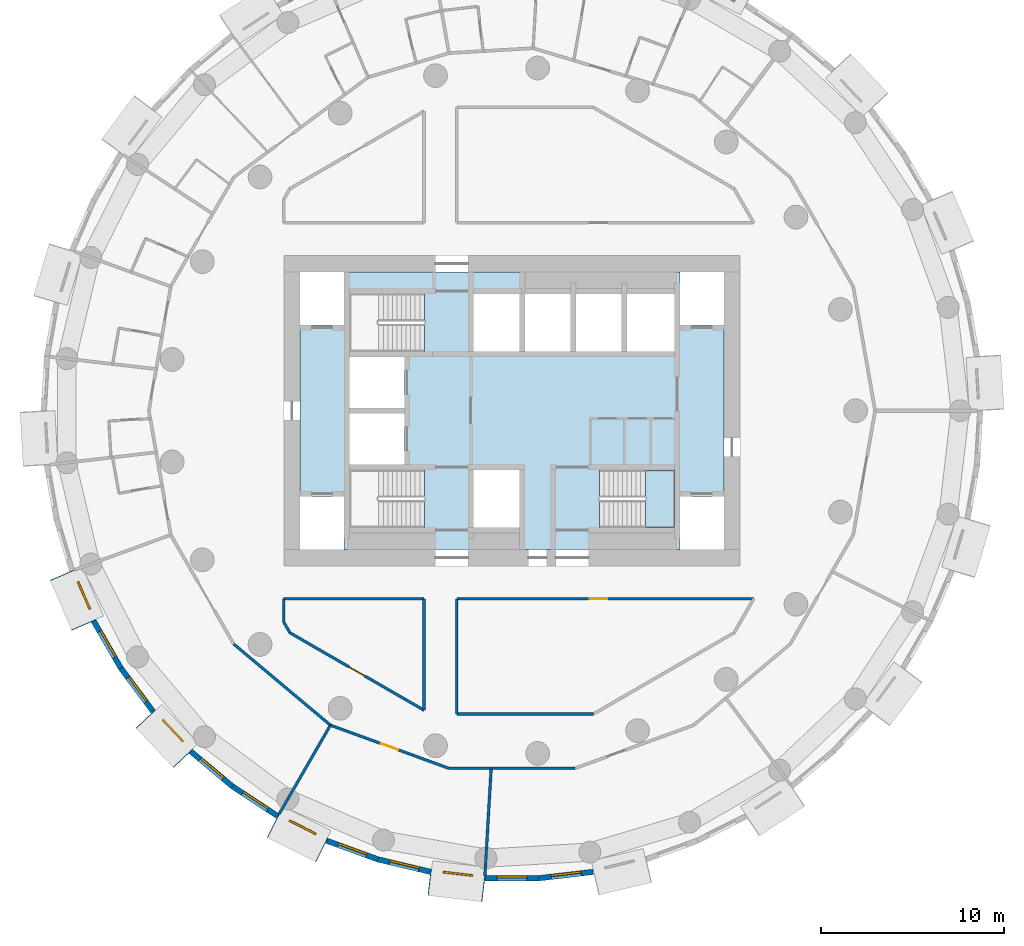
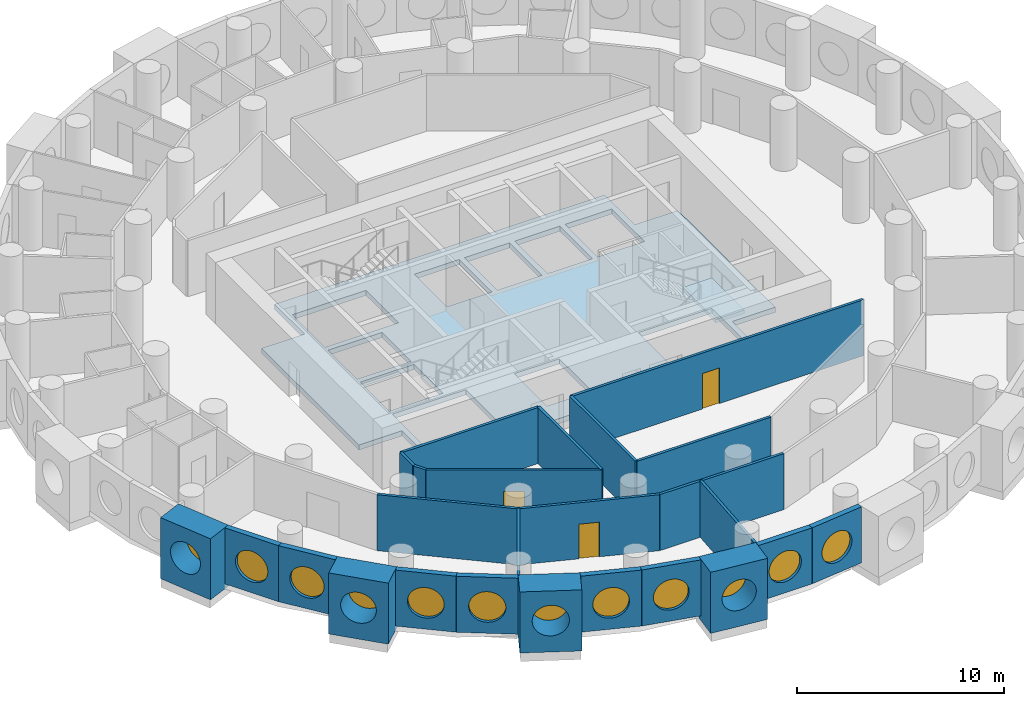
# One storey, part 2 of 10: 25 walls, 12 windows, 3 doors, 2 slabs, 15 openings, 1 element without a shape of its own.
"""IFC4 building model written with IfcOpenShell, lengths in metres."""

from ifc_helpers import new_model, si_unit, direction, frame, frame_2d, origin, origin_2d, place, context, subcontext, project, spatial, polyline, rectangle, circle, outline, extrude, material, layer, layer_set, type_object, element, fill, aggregate, save


model = new_model("IFC4")

# Units and contexts
model_context = context("Model", 3, precision=1e-05, world=origin(), true_north=direction((0.0, 1.0)))
body_context = subcontext(model_context, "Body", "Model", "MODEL_VIEW")
ifc_project = project(units=[si_unit("LENGTHUNIT", "METRE"), si_unit("AREAUNIT", "SQUARE_METRE"), si_unit("VOLUMEUNIT", "CUBIC_METRE"), si_unit("PLANEANGLEUNIT", "RADIAN"), si_unit("MASSUNIT", "GRAM", prefix="KILO")], contexts=[model_context])

# Site, building, storey
site_placement = place(None, origin())
site = spatial("IfcSite", under=ifc_project, at=site_placement, CompositionType="ELEMENT")
building_placement = place(site_placement, origin())
building = spatial("IfcBuilding", under=site, at=building_placement, Name="Tracery Tower", CompositionType="ELEMENT")
storey_placement = place(building_placement, frame((0.0, 0.0, 140.39990234375)))
storey = spatial("IfcBuildingStorey", under=building, at=storey_placement, Name="L35", CompositionType="ELEMENT", Elevation=140.39990234375)

# Slab
ifc_material_1 = material(Name="Concrete C50/60", Category="concrete")
ifc_layer_1 = layer(ifc_material_1, 0.300048828125)
ifc_layer_set_1 = layer_set([ifc_layer_1], Name="Core floor slab 300 C50")
slab_type_1 = type_object("IfcSlabType", Name="Core floor slab 300 C50", PredefinedType="FLOOR", material=ifc_layer_set_1)
slab_1_placement = place(storey_placement, frame((0.0, 0.0, -0.2998046875)))
element("IfcSlab", 1, at=slab_1_placement, inside=storey, type_object=slab_type_1, Name="L35 core floor 1", PredefinedType="FLOOR", context=body_context, shape_type="SweptSolid", body=[
    extrude(outline(polyline([(-9.199951171875, 7.60009765625), (9.199951171875, 7.60009765625), (9.199951171875, 4.699951171875), (11.60009765625, 4.699951171875), (11.60009765625, -4.699951171875), (9.199951171875, -4.699951171875), (9.199951171875, -7.60009765625), (-9.199951171875, -7.60009765625), (-9.199951171875, -4.699951171875), (-11.60009765625, -4.699951171875), (-11.60009765625, 4.699951171875), (-9.199951171875, 4.699951171875), (-9.199951171875, 7.60009765625)]), holes=[polyline([(4.800537109375, -6.39990234375), (8.89990234375, -6.39990234375), (8.89990234375, -3.25), (4.800537109375, -3.25), (4.800537109375, -6.39990234375)]), polyline([(8.89990234375, 3.25), (8.89990234375, 6.39990234375), (6.300048828125, 6.39990234375), (6.300048828125, 3.25), (8.89990234375, 3.25)]), polyline([(6.0, 3.25), (6.0, 6.39990234375), (3.5, 6.39990234375), (3.5, 3.25), (6.0, 3.25)]), polyline([(3.199951171875, 3.25), (3.199951171875, 6.39990234375), (0.699951171875, 6.39990234375), (0.699951171875, 3.25), (3.199951171875, 3.25)]), polyline([(-2.10009765625, 3.25), (0.39990234375, 3.25), (0.39990234375, 6.39990234375), (-2.10009765625, 6.39990234375), (-2.10009765625, 3.25)]), polyline([(0.39990234375, -6.39990234375), (0.39990234375, -3.25), (-2.10009765625, -3.25), (-2.10009765625, -6.39990234375), (0.39990234375, -6.39990234375)]), polyline([(-4.800537109375, -3.25), (-8.89990234375, -3.25), (-8.89990234375, -6.39990234375), (-4.800537109375, -6.39990234375), (-4.800537109375, -3.25)]), polyline([(-4.800537109375, 6.39990234375), (-8.89990234375, 6.39990234375), (-8.89990234375, 3.25), (-4.800537109375, 3.25), (-4.800537109375, 6.39990234375)]), polyline([(-5.89990234375, -2.949951171875), (-5.89990234375, -0.14990234375), (-8.89990234375, -0.14990234375), (-8.89990234375, -2.949951171875), (-5.89990234375, -2.949951171875)]), polyline([(-5.89990234375, 0.14990234375), (-5.89990234375, 2.949951171875), (-8.89990234375, 2.949951171875), (-8.89990234375, 0.14990234375), (-5.89990234375, 0.14990234375)])]), origin(), (0.0, 0.0, 1.0), 0.2998046875),
])

# Stair, slab
ifc_material_2 = material(Name="Concrete C32/40", Category="concrete")
stair_type = type_object("IfcStairType", Name="Core stair 22 risers", PredefinedType="HALF_TURN_STAIR", material=ifc_material_2)
stair_placement = place(storey_placement, origin())
stair = element("IfcStair", 2, at=stair_placement, inside=storey, type_object=stair_type, Name="L35 stair ST2", PredefinedType="HALF_TURN_STAIR")
ifc_material_3 = material(Name="Concrete C32/40", Category="concrete")
ifc_layer_2 = layer(ifc_material_3, 0.199951171875)
ifc_layer_set_2 = layer_set([ifc_layer_2], Name="Stair landing slab 200")
slab_type_2 = type_object("IfcSlabType", Name="Stair landing slab 200", PredefinedType="LANDING", material=ifc_layer_set_2)
slab_2_placement = place(storey_placement, frame((0.0, 0.0, 1.60009765625)))
slab_2 = element("IfcSlab", 3, at=slab_2_placement, type_object=slab_type_2, Name="ST2 landing 1", PredefinedType="LANDING", context=body_context, shape_type="SweptSolid", body=[
    extrude(outline(polyline([(7.29931640625, -6.39990234375), (8.89990234375, -6.39990234375), (8.89990234375, -3.25), (7.29931640625, -3.25), (7.29931640625, -6.39990234375)])), origin(), (0.0, 0.0, 1.0), 0.199951171875),
])
aggregate(stair, [slab_2])

# Wall, opening, window
ifc_material_4 = material(Name="Precast concrete C50/60", Category="concrete")
ifc_layer_3 = layer(ifc_material_4, 1.449951171875)
ifc_layer_set_3 = layer_set([ifc_layer_3], Name="Deep-set bay unit 3000 x 3600, slab edge 300")
wall_type_1 = type_object("IfcWallType", Name="Deep-set bay unit 3000 x 3600, slab edge 300", PredefinedType="ELEMENTEDWALL", material=ifc_layer_set_3)
wall_1_placement = place(storey_placement, frame((-24.632080078125, -8.99169921875, -0.2998046875), z_axis=(0.0, 0.0, 1.0), x_axis=(0.396079003245, -0.918216435917, 0.0)))
wall_1 = element("IfcWall", 4, at=wall_1_placement, inside=storey, type_object=wall_type_1, Name="Deep-set bay unit 31 at L35", PredefinedType="ELEMENTEDWALL", context=body_context, shape_type="SweptSolid", body=[
    extrude(rectangle(XDim=3.0, YDim=1.449951171875, at=frame_2d((1.5, 0.0))), origin(), (0.0, 0.0, 1.0), 3.599853515625),
])
opening_1_placement = place(wall_1_placement, frame((1.5, 0.0, 1.85009765625)))
opening_1 = element("IfcOpeningElement", 5, at=opening_1_placement, cuts=wall_1, Name="Opening WN1", PredefinedType="OPENING", context=body_context, shape_type="SweptSolid", body=[
    extrude(circle(Radius=0.9000244140625, at=origin_2d()), frame((0.0, 0.73486328125, 0.0), z_axis=(0.0, -1.0, 0.0), x_axis=(1.0, 0.0, 0.0)), (0.0, 0.0, 1.0), 1.469970703125),
])
ifc_material_5 = material(Name="Aluminium frame with tinted double glazing", Category="aluminium")
window_type = type_object("IfcWindowType", Name="Round window 1800", PartitioningType="SINGLE_PANEL", PredefinedType="WINDOW", material=ifc_material_5)
window_1_placement = place(opening_1_placement, origin())
window_1 = element("IfcWindow", 6, at=window_1_placement, inside=storey, type_object=window_type, Name="Round window 31 at L35", OverallHeight=1.800048828125, OverallWidth=1.800048828125, PartitioningType="SINGLE_PANEL", PredefinedType="WINDOW", context=body_context, shape_type="SweptSolid", body=[
    extrude(circle(Radius=0.9000244140625, at=origin_2d()), frame((0.0, 0.69482421875, 0.0), z_axis=(0.0, -1.0, 0.0), x_axis=(1.0, 0.0, 0.0)), (0.0, 0.0, 1.0), 0.10009765625),
])
fill(opening_1, window_1)

wall_2_placement = place(storey_placement, frame((-20.0712890625, -16.8740234375, -0.2998046875), z_axis=(0.0, 0.0, 1.0), x_axis=(0.686217177108, -0.727396718334, 0.0)))
wall_2 = element("IfcWall", 7, at=wall_2_placement, inside=storey, type_object=wall_type_1, Name="Deep-set bay unit 34 at L35", PredefinedType="ELEMENTEDWALL", context=body_context, shape_type="SweptSolid", body=[
    extrude(rectangle(XDim=3.0, YDim=1.449951171875, at=frame_2d((1.5, 0.0))), origin(), (0.0, 0.0, 1.0), 3.599853515625),
])
opening_2_placement = place(wall_2_placement, frame((1.5, 0.0, 1.85009765625)))
opening_2 = element("IfcOpeningElement", 8, at=opening_2_placement, cuts=wall_2, Name="Opening WN1", PredefinedType="OPENING", context=body_context, shape_type="SweptSolid", body=[
    extrude(circle(Radius=0.9000244140625, at=origin_2d()), frame((0.0, 0.73486328125, 0.0), z_axis=(0.0, -1.0, 0.0), x_axis=(1.0, 0.0, 0.0)), (0.0, 0.0, 1.0), 1.469970703125),
])
window_2_placement = place(opening_2_placement, origin())
window_2 = element("IfcWindow", 9, at=window_2_placement, inside=storey, type_object=window_type, Name="Round window 34 at L35", OverallHeight=1.800048828125, OverallWidth=1.800048828125, PartitioningType="SINGLE_PANEL", PredefinedType="WINDOW", context=body_context, shape_type="SweptSolid", body=[
    extrude(circle(Radius=0.9000244140625, at=origin_2d()), frame((0.0, 0.69482421875, 0.0), z_axis=(0.0, -1.0, 0.0), x_axis=(1.0, 0.0, 0.0)), (0.0, 0.0, 1.0), 0.10009765625),
])
fill(opening_2, window_2)

wall_3_placement = place(storey_placement, frame((-13.089599609375, -22.72119140625, -0.2998046875), z_axis=(0.0, 0.0, 1.0), x_axis=(0.893628249713, -0.448807922518, 0.0)))
wall_3 = element("IfcWall", 10, at=wall_3_placement, inside=storey, type_object=wall_type_1, Name="Deep-set bay unit 37 at L35", PredefinedType="ELEMENTEDWALL", context=body_context, shape_type="SweptSolid", body=[
    extrude(rectangle(XDim=3.0, YDim=1.449951171875, at=frame_2d((1.5, 0.0))), origin(), (0.0, 0.0, 1.0), 3.599853515625),
])
opening_3_placement = place(wall_3_placement, frame((1.5, 0.0, 1.85009765625)))
opening_3 = element("IfcOpeningElement", 11, at=opening_3_placement, cuts=wall_3, Name="Opening WN1", PredefinedType="OPENING", context=body_context, shape_type="SweptSolid", body=[
    extrude(circle(Radius=0.9000244140625, at=origin_2d()), frame((0.0, 0.73486328125, 0.0), z_axis=(0.0, -1.0, 0.0), x_axis=(1.0, 0.0, 0.0)), (0.0, 0.0, 1.0), 1.469970703125),
])
window_3_placement = place(opening_3_placement, origin())
window_3 = element("IfcWindow", 12, at=window_3_placement, inside=storey, type_object=window_type, Name="Round window 37 at L35", OverallHeight=1.800048828125, OverallWidth=1.800048828125, PartitioningType="SINGLE_PANEL", PredefinedType="WINDOW", context=body_context, shape_type="SweptSolid", body=[
    extrude(circle(Radius=0.9000244140625, at=origin_2d()), frame((0.0, 0.69482421875, 0.0), z_axis=(0.0, -1.0, 0.0), x_axis=(1.0, 0.0, 0.0)), (0.0, 0.0, 1.0), 0.10009765625),
])
fill(opening_3, window_3)

wall_4_placement = place(storey_placement, frame((-4.529052734375, -25.827880859375, -0.2998046875), z_axis=(0.0, 0.0, 1.0), x_axis=(0.9932342274, -0.116128246006, 0.0)))
wall_4 = element("IfcWall", 13, at=wall_4_placement, inside=storey, type_object=wall_type_1, Name="Deep-set bay unit 40 at L35", PredefinedType="ELEMENTEDWALL", context=body_context, shape_type="SweptSolid", body=[
    extrude(rectangle(XDim=3.0, YDim=1.449951171875, at=frame_2d((1.5, 0.0))), origin(), (0.0, 0.0, 1.0), 3.599853515625),
])
opening_4_placement = place(wall_4_placement, frame((1.5, 0.0, 1.85009765625)))
opening_4 = element("IfcOpeningElement", 14, at=opening_4_placement, cuts=wall_4, Name="Opening WN1", PredefinedType="OPENING", context=body_context, shape_type="SweptSolid", body=[
    extrude(circle(Radius=0.9000244140625, at=origin_2d()), frame((0.0, 0.73486328125, 0.0), z_axis=(0.0, -1.0, 0.0), x_axis=(1.0, 0.0, 0.0)), (0.0, 0.0, 1.0), 1.469970703125),
])
window_4_placement = place(opening_4_placement, origin())
window_4 = element("IfcWindow", 15, at=window_4_placement, inside=storey, type_object=window_type, Name="Round window 40 at L35", OverallHeight=1.800048828125, OverallWidth=1.800048828125, PartitioningType="SINGLE_PANEL", PredefinedType="WINDOW", context=body_context, shape_type="SweptSolid", body=[
    extrude(circle(Radius=0.9000244140625, at=origin_2d()), frame((0.0, 0.69482421875, 0.0), z_axis=(0.0, -1.0, 0.0), x_axis=(1.0, 0.0, 0.0)), (0.0, 0.0, 1.0), 0.10009765625),
])
fill(opening_4, window_4)

ifc_material_6 = material(Name="Precast concrete C50/60", Category="concrete")
ifc_layer_4 = layer(ifc_material_6, 0.300048828125)
ifc_layer_set_4 = layer_set([ifc_layer_4], Name="Facade panel 3000 x 3300")
wall_type_2 = type_object("IfcWallType", Name="Facade panel 3000 x 3300", PredefinedType="SOLIDWALL", material=ifc_layer_set_4)
wall_5_placement = place(storey_placement, frame((-22.91455078125, -11.518798828125, 0.0), z_axis=(0.0, 0.0, 1.0), x_axis=(0.499954672104, -0.866051572276, 0.0)))
wall_5 = element("IfcWall", 16, at=wall_5_placement, inside=storey, type_object=wall_type_2, Name="Facade panel 32 at L35", PredefinedType="SOLIDWALL", context=body_context, shape_type="SweptSolid", body=[
    extrude(rectangle(XDim=2.972900390625, YDim=0.300048828125, at=frame_2d((1.486328125, 0.0))), origin(), (0.0, 0.0, 1.0), 3.300048828125),
])
opening_5_placement = place(wall_5_placement, frame((1.486328125, 0.0, 1.5498046875)))
opening_5 = element("IfcOpeningElement", 17, at=opening_5_placement, cuts=wall_5, Name="Opening WN1", PredefinedType="OPENING", context=body_context, shape_type="SweptSolid", body=[
    extrude(circle(Radius=0.9000244140625, at=origin_2d()), frame((0.0, 0.159912109375, 0.0), z_axis=(0.0, -1.0, 0.0), x_axis=(1.0, 0.0, 0.0)), (0.0, 0.0, 1.0), 0.320068359375),
])
window_5_placement = place(opening_5_placement, origin())
window_5 = element("IfcWindow", 18, at=window_5_placement, inside=storey, type_object=window_type, Name="Round window 32 at L35", OverallHeight=1.800048828125, OverallWidth=1.800048828125, PartitioningType="SINGLE_PANEL", PredefinedType="WINDOW", context=body_context, shape_type="SweptSolid", body=[
    extrude(circle(Radius=0.9000244140625, at=origin_2d()), frame((0.0, 0.1201171875, 0.0), z_axis=(0.0, -1.0, 0.0), x_axis=(1.0, 0.0, 0.0)), (0.0, 0.0, 1.0), 0.10009765625),
])
fill(opening_5, window_5)

wall_6_placement = place(storey_placement, frame((-21.42822265625, -14.093505859375, 0.0), z_axis=(0.0, 0.0, 1.0), x_axis=(0.597197580538, -0.80209416517, 0.0)))
wall_6 = element("IfcWall", 19, at=wall_6_placement, inside=storey, type_object=wall_type_2, Name="Facade panel 33 at L35", PredefinedType="SOLIDWALL", context=body_context, shape_type="SweptSolid", body=[
    extrude(rectangle(XDim=2.972900390625, YDim=0.300048828125, at=frame_2d((1.486328125, 0.0))), origin(), (0.0, 0.0, 1.0), 3.300048828125),
])
opening_6_placement = place(wall_6_placement, frame((1.486328125, 0.0, 1.5498046875)))
opening_6 = element("IfcOpeningElement", 20, at=opening_6_placement, cuts=wall_6, Name="Opening WN1", PredefinedType="OPENING", context=body_context, shape_type="SweptSolid", body=[
    extrude(circle(Radius=0.9000244140625, at=origin_2d()), frame((0.0, 0.159912109375, 0.0), z_axis=(0.0, -1.0, 0.0), x_axis=(1.0, 0.0, 0.0)), (0.0, 0.0, 1.0), 0.320068359375),
])
window_6_placement = place(opening_6_placement, origin())
window_6 = element("IfcWindow", 21, at=window_6_placement, inside=storey, type_object=window_type, Name="Round window 33 at L35", OverallHeight=1.800048828125, OverallWidth=1.800048828125, PartitioningType="SINGLE_PANEL", PredefinedType="WINDOW", context=body_context, shape_type="SweptSolid", body=[
    extrude(circle(Radius=0.9000244140625, at=origin_2d()), frame((0.0, 0.1201171875, 0.0), z_axis=(0.0, -1.0, 0.0), x_axis=(1.0, 0.0, 0.0)), (0.0, 0.0, 1.0), 0.10009765625),
])
fill(opening_6, window_6)

wall_7_placement = place(storey_placement, frame((-17.593017578125, -18.661376953125, 0.0), z_axis=(0.0, 0.0, 1.0), x_axis=(0.766008913364, -0.642829950023, 0.0)))
wall_7 = element("IfcWall", 22, at=wall_7_placement, inside=storey, type_object=wall_type_2, Name="Facade panel 35 at L35", PredefinedType="SOLIDWALL", context=body_context, shape_type="SweptSolid", body=[
    extrude(rectangle(XDim=2.972900390625, YDim=0.300048828125, at=frame_2d((1.486328125, 0.0))), origin(), (0.0, 0.0, 1.0), 3.300048828125),
])
opening_7_placement = place(wall_7_placement, frame((1.486328125, 0.0, 1.5498046875)))
opening_7 = element("IfcOpeningElement", 23, at=opening_7_placement, cuts=wall_7, Name="Opening WN1", PredefinedType="OPENING", context=body_context, shape_type="SweptSolid", body=[
    extrude(circle(Radius=0.9000244140625, at=origin_2d()), frame((0.0, 0.159912109375, 0.0), z_axis=(0.0, -1.0, 0.0), x_axis=(1.0, 0.0, 0.0)), (0.0, 0.0, 1.0), 0.320068359375),
])
window_7_placement = place(opening_7_placement, origin())
window_7 = element("IfcWindow", 24, at=window_7_placement, inside=storey, type_object=window_type, Name="Round window 35 at L35", OverallHeight=1.800048828125, OverallWidth=1.800048828125, PartitioningType="SINGLE_PANEL", PredefinedType="WINDOW", context=body_context, shape_type="SweptSolid", body=[
    extrude(circle(Radius=0.9000244140625, at=origin_2d()), frame((0.0, 0.1201171875, 0.0), z_axis=(0.0, -1.0, 0.0), x_axis=(1.0, 0.0, 0.0)), (0.0, 0.0, 1.0), 0.10009765625),
])
fill(opening_7, window_7)

wall_8_placement = place(storey_placement, frame((-15.315673828125, -20.572509765625, 0.0), z_axis=(0.0, 0.0, 1.0), x_axis=(0.835508361394, -0.54947773207, 0.0)))
wall_8 = element("IfcWall", 25, at=wall_8_placement, inside=storey, type_object=wall_type_2, Name="Facade panel 36 at L35", PredefinedType="SOLIDWALL", context=body_context, shape_type="SweptSolid", body=[
    extrude(rectangle(XDim=2.972900390625, YDim=0.300048828125, at=frame_2d((1.486328125, 0.0))), origin(), (0.0, 0.0, 1.0), 3.300048828125),
])
opening_8_placement = place(wall_8_placement, frame((1.486328125, 0.0, 1.5498046875)))
opening_8 = element("IfcOpeningElement", 26, at=opening_8_placement, cuts=wall_8, Name="Opening WN1", PredefinedType="OPENING", context=body_context, shape_type="SweptSolid", body=[
    extrude(circle(Radius=0.9000244140625, at=origin_2d()), frame((0.0, 0.159912109375, 0.0), z_axis=(0.0, -1.0, 0.0), x_axis=(1.0, 0.0, 0.0)), (0.0, 0.0, 1.0), 0.320068359375),
])
window_8_placement = place(opening_8_placement, origin())
window_8 = element("IfcWindow", 27, at=window_8_placement, inside=storey, type_object=window_type, Name="Round window 36 at L35", OverallHeight=1.800048828125, OverallWidth=1.800048828125, PartitioningType="SINGLE_PANEL", PredefinedType="WINDOW", context=body_context, shape_type="SweptSolid", body=[
    extrude(circle(Radius=0.9000244140625, at=origin_2d()), frame((0.0, 0.1201171875, 0.0), z_axis=(0.0, -1.0, 0.0), x_axis=(1.0, 0.0, 0.0)), (0.0, 0.0, 1.0), 0.10009765625),
])
fill(opening_8, window_8)

wall_9_placement = place(storey_placement, frame((-10.1494140625, -23.55322265625, 0.0), z_axis=(0.0, 0.0, 1.0), x_axis=(0.939690282133, -0.342026568652, 0.0)))
wall_9 = element("IfcWall", 28, at=wall_9_placement, inside=storey, type_object=wall_type_2, Name="Facade panel 38 at L35", PredefinedType="SOLIDWALL", context=body_context, shape_type="SweptSolid", body=[
    extrude(rectangle(XDim=2.972900390625, YDim=0.300048828125, at=frame_2d((1.486328125, 0.0))), origin(), (0.0, 0.0, 1.0), 3.300048828125),
])
opening_9_placement = place(wall_9_placement, frame((1.486328125, 0.0, 1.5498046875)))
opening_9 = element("IfcOpeningElement", 29, at=opening_9_placement, cuts=wall_9, Name="Opening WN1", PredefinedType="OPENING", context=body_context, shape_type="SweptSolid", body=[
    extrude(circle(Radius=0.9000244140625, at=origin_2d()), frame((0.0, 0.159912109375, 0.0), z_axis=(0.0, -1.0, 0.0), x_axis=(1.0, 0.0, 0.0)), (0.0, 0.0, 1.0), 0.320068359375),
])
window_9_placement = place(opening_9_placement, origin())
window_9 = element("IfcWindow", 30, at=window_9_placement, inside=storey, type_object=window_type, Name="Round window 38 at L35", OverallHeight=1.800048828125, OverallWidth=1.800048828125, PartitioningType="SINGLE_PANEL", PredefinedType="WINDOW", context=body_context, shape_type="SweptSolid", body=[
    extrude(circle(Radius=0.9000244140625, at=origin_2d()), frame((0.0, 0.1201171875, 0.0), z_axis=(0.0, -1.0, 0.0), x_axis=(1.0, 0.0, 0.0)), (0.0, 0.0, 1.0), 0.10009765625),
])
fill(opening_9, window_9)

wall_10_placement = place(storey_placement, frame((-7.355712890625, -24.570068359375, 0.0), z_axis=(0.0, 0.0, 1.0), x_axis=(0.973045378923, -0.230613725862, 0.0)))
wall_10 = element("IfcWall", 31, at=wall_10_placement, inside=storey, type_object=wall_type_2, Name="Facade panel 39 at L35", PredefinedType="SOLIDWALL", context=body_context, shape_type="SweptSolid", body=[
    extrude(rectangle(XDim=2.97265625, YDim=0.300048828125, at=frame_2d((1.486328125, 0.0))), origin(), (0.0, 0.0, 1.0), 3.300048828125),
])
opening_10_placement = place(wall_10_placement, frame((1.486328125, 0.0, 1.5498046875)))
opening_10 = element("IfcOpeningElement", 32, at=opening_10_placement, cuts=wall_10, Name="Opening WN1", PredefinedType="OPENING", context=body_context, shape_type="SweptSolid", body=[
    extrude(circle(Radius=0.9000244140625, at=origin_2d()), frame((0.0, 0.159912109375, 0.0), z_axis=(0.0, -1.0, 0.0), x_axis=(1.0, 0.0, 0.0)), (0.0, 0.0, 1.0), 0.320068359375),
])
window_10_placement = place(opening_10_placement, origin())
window_10 = element("IfcWindow", 33, at=window_10_placement, inside=storey, type_object=window_type, Name="Round window 39 at L35", OverallHeight=1.800048828125, OverallWidth=1.800048828125, PartitioningType="SINGLE_PANEL", PredefinedType="WINDOW", context=body_context, shape_type="SweptSolid", body=[
    extrude(circle(Radius=0.9000244140625, at=origin_2d()), frame((0.0, 0.1201171875, 0.0), z_axis=(0.0, -1.0, 0.0), x_axis=(1.0, 0.0, 0.0)), (0.0, 0.0, 1.0), 0.10009765625),
])
fill(opening_10, window_10)

wall_11_placement = place(storey_placement, frame((-1.481689453125, -25.60400390625, 0.0), z_axis=(0.0, 0.0, 1.0), x_axis=(1.0, 0.0, 0.0)))
wall_11 = element("IfcWall", 34, at=wall_11_placement, inside=storey, type_object=wall_type_2, Name="Facade panel 41 at L35", PredefinedType="SOLIDWALL", context=body_context, shape_type="SweptSolid", body=[
    extrude(rectangle(XDim=2.972900390625, YDim=0.300048828125, at=frame_2d((1.486328125, 0.0))), origin(), (0.0, 0.0, 1.0), 3.300048828125),
])
opening_11_placement = place(wall_11_placement, frame((1.486328125, 0.0, 1.5498046875)))
opening_11 = element("IfcOpeningElement", 35, at=opening_11_placement, cuts=wall_11, Name="Opening WN1", PredefinedType="OPENING", context=body_context, shape_type="SweptSolid", body=[
    extrude(circle(Radius=0.9000244140625, at=origin_2d()), frame((0.0, 0.159912109375, 0.0), z_axis=(0.0, -1.0, 0.0), x_axis=(1.0, 0.0, 0.0)), (0.0, 0.0, 1.0), 0.320068359375),
])
window_11_placement = place(opening_11_placement, origin())
window_11 = element("IfcWindow", 36, at=window_11_placement, inside=storey, type_object=window_type, Name="Round window 41 at L35", OverallHeight=1.800048828125, OverallWidth=1.800048828125, PartitioningType="SINGLE_PANEL", PredefinedType="WINDOW", context=body_context, shape_type="SweptSolid", body=[
    extrude(circle(Radius=0.9000244140625, at=origin_2d()), frame((0.0, 0.1201171875, 0.0), z_axis=(0.0, -1.0, 0.0), x_axis=(1.0, 0.0, 0.0)), (0.0, 0.0, 1.0), 0.10009765625),
])
fill(opening_11, window_11)

wall_12_placement = place(storey_placement, frame((1.4912109375, -25.60400390625, 0.0), z_axis=(0.0, 0.0, 1.0), x_axis=(0.993245010522, 0.1160359818, 0.0)))
wall_12 = element("IfcWall", 37, at=wall_12_placement, inside=storey, type_object=wall_type_2, Name="Facade panel 42 at L35", PredefinedType="SOLIDWALL", context=body_context, shape_type="SweptSolid", body=[
    extrude(rectangle(XDim=2.972900390625, YDim=0.300048828125, at=frame_2d((1.486328125, 0.0))), origin(), (0.0, 0.0, 1.0), 3.300048828125),
])
opening_12_placement = place(wall_12_placement, frame((1.486328125, 0.0, 1.5498046875)))
opening_12 = element("IfcOpeningElement", 38, at=opening_12_placement, cuts=wall_12, Name="Opening WN1", PredefinedType="OPENING", context=body_context, shape_type="SweptSolid", body=[
    extrude(circle(Radius=0.9000244140625, at=origin_2d()), frame((0.0, 0.159912109375, 0.0), z_axis=(0.0, -1.0, 0.0), x_axis=(1.0, 0.0, 0.0)), (0.0, 0.0, 1.0), 0.320068359375),
])
window_12_placement = place(opening_12_placement, origin())
window_12 = element("IfcWindow", 39, at=window_12_placement, inside=storey, type_object=window_type, Name="Round window 42 at L35", OverallHeight=1.800048828125, OverallWidth=1.800048828125, PartitioningType="SINGLE_PANEL", PredefinedType="WINDOW", context=body_context, shape_type="SweptSolid", body=[
    extrude(circle(Radius=0.9000244140625, at=origin_2d()), frame((0.0, 0.1201171875, 0.0), z_axis=(0.0, -1.0, 0.0), x_axis=(1.0, 0.0, 0.0)), (0.0, 0.0, 1.0), 0.10009765625),
])
fill(opening_12, window_12)

# Walls
ifc_material_7 = material(Name="Plasterboard on steel studs", Category="steel")
ifc_layer_5 = layer(ifc_material_7, 0.14990234375)
ifc_layer_set_5 = layer_set([ifc_layer_5], Name="Partition 150 acoustic unit wall")
wall_type_3 = type_object("IfcWallType", Name="Partition 150 acoustic unit wall", PredefinedType="PARTITIONING", material=ifc_layer_set_5)
wall_13_placement = place(storey_placement, frame((-12.7490234375, -22.0810546875, 0.0), z_axis=(0.0, 0.0, 1.0), x_axis=(0.500010020406, 0.866019618423, 0.0)))
element("IfcWall", 40, at=wall_13_placement, inside=storey, type_object=wall_type_3, Name="Unit wall RB2-077", PredefinedType="PARTITIONING", context=body_context, shape_type="SweptSolid", body=[
    extrude(rectangle(XDim=5.60986328125, YDim=0.14990234375, at=frame_2d((2.804931640625, 0.0))), origin(), (0.0, 0.0, 1.0), 3.300048828125),
])
wall_14_placement = place(storey_placement, frame((-1.48291015625, -25.4541015625, 0.0), z_axis=(0.0, 0.0, 1.0), x_axis=(0.058147412668, 0.998308007781, 0.0)))
element("IfcWall", 41, at=wall_14_placement, inside=storey, type_object=wall_type_3, Name="Unit wall RB2-078", PredefinedType="PARTITIONING", context=body_context, shape_type="SweptSolid", body=[
    extrude(rectangle(XDim=5.878173828125, YDim=0.14990234375, at=frame_2d((2.93896484375, 0.0))), origin(), (0.0, 0.0, 1.0), 3.300048828125),
])
ifc_material_8 = material(Name="Plasterboard on steel studs", Category="steel")
ifc_layer_6 = layer(ifc_material_8, 0.14990234375)
ifc_layer_set_6 = layer_set([ifc_layer_6], Name="Partition 150 corridor wall")
wall_type_4 = type_object("IfcWallType", Name="Partition 150 corridor wall", PredefinedType="PARTITIONING", material=ifc_layer_set_6)
wall_15_placement = place(storey_placement, frame((-12.50390625, -10.300048828125, 0.0), z_axis=(0.0, 0.0, 1.0), x_axis=(1.0, 0.0, 0.0)))
element("IfcWall", 42, at=wall_15_placement, inside=storey, type_object=wall_type_4, Name="Corridor wall RB2-003", PredefinedType="PARTITIONING", context=body_context, shape_type="SweptSolid", body=[
    extrude(rectangle(XDim=7.68701171875, YDim=0.14990234375, at=frame_2d((3.843505859375, 0.0))), origin(), (0.0, 0.0, 1.0), 3.300048828125),
])

# Wall, opening, door
wall_16_placement = place(storey_placement, frame((-3.02490234375, -10.300048828125, 0.0), z_axis=(0.0, 0.0, 1.0), x_axis=(1.0, 0.0, 0.0)))
wall_16 = element("IfcWall", 43, at=wall_16_placement, inside=storey, type_object=wall_type_4, Name="Corridor wall RB2-004", PredefinedType="PARTITIONING", context=body_context, shape_type="SweptSolid", body=[
    extrude(rectangle(XDim=16.261962890625, YDim=0.14990234375, at=frame_2d((8.130859375, 0.0))), origin(), (0.0, 0.0, 1.0), 3.300048828125),
])
opening_13_placement = place(wall_16_placement, frame((7.287109375, 0.0, 0.0)))
opening_13 = element("IfcOpeningElement", 44, at=opening_13_placement, cuts=wall_16, Name="Opening RB2-04", PredefinedType="OPENING", context=body_context, shape_type="SweptSolid", body=[
    extrude(rectangle(XDim=0.949951171875, YDim=2.10009765625, at=frame_2d((0.47509765625, 1.050048828125))), frame((0.0, 0.074951171875, 0.0), z_axis=(0.0, -1.0, 0.0), x_axis=(1.0, 0.0, 0.0)), (0.0, 0.0, 1.0), 0.14990234375),
])
ifc_material_9 = material(Name="Timber door leaf", Category="wood")
door_type_1 = type_object("IfcDoorType", Name="Door store 950", OperationType="NOTDEFINED", PredefinedType="DOOR", material=ifc_material_9)
door_1_placement = place(opening_13_placement, origin())
door_1 = element("IfcDoor", 45, at=door_1_placement, inside=storey, type_object=door_type_1, Name="Store door RB2-04", OperationType="SINGLE_SWING_RIGHT", OverallHeight=2.10009765625, OverallWidth=0.949951171875, PredefinedType="DOOR", context=body_context, shape_type="SweptSolid", body=[
    extrude(rectangle(XDim=0.949951171875, YDim=2.10009765625, at=frame_2d((0.47509765625, 1.050048828125))), frame((0.0, 0.02490234375, 0.0), z_axis=(0.0, -1.0, 0.0), x_axis=(1.0, 0.0, 0.0)), (0.0, 0.0, 1.0), 0.050048828125),
])
fill(opening_13, door_1)

# Walls
wall_17_placement = place(storey_placement, frame((-12.5, -11.576904296875, 0.0), z_axis=(0.0, 0.0, 1.0), x_axis=(0.0, 1.0, 0.0)))
element("IfcWall", 46, at=wall_17_placement, inside=storey, type_object=wall_type_4, Name="Corridor wall RB2-024", PredefinedType="PARTITIONING", context=body_context, shape_type="SweptSolid", body=[
    extrude(rectangle(XDim=1.27685546875, YDim=0.14990234375, at=frame_2d((0.638427734375, 0.0))), origin(), (0.0, 0.0, 1.0), 3.300048828125),
])
wall_18_placement = place(storey_placement, frame((-12.5, -11.576904296875, 0.0), z_axis=(0.0, 0.0, 1.0), x_axis=(0.500024767483, -0.866011103799, 0.0)))
element("IfcWall", 47, at=wall_18_placement, inside=storey, type_object=wall_type_4, Name="Corridor wall RB2-025", PredefinedType="PARTITIONING", context=body_context, shape_type="SweptSolid", body=[
    extrude(rectangle(XDim=0.67578125, YDim=0.14990234375, at=frame_2d((0.337890625, 0.0))), origin(), (0.0, 0.0, 1.0), 3.300048828125),
])
wall_19_placement = place(storey_placement, frame((-15.235107421875, -12.783935546875, 0.0), z_axis=(0.0, 0.0, 1.0), x_axis=(0.766192104565, -0.642611592567, 0.0)))
element("IfcWall", 48, at=wall_19_placement, inside=storey, type_object=wall_type_4, Name="Corridor wall RB2-030", PredefinedType="PARTITIONING", context=body_context, shape_type="SweptSolid", body=[
    extrude(rectangle(XDim=6.906494140625, YDim=0.14990234375, at=frame_2d((3.453125, 0.0))), origin(), (0.0, 0.0, 1.0), 3.300048828125),
])

# Wall, opening, door
wall_20_placement = place(storey_placement, frame((-12.162109375, -12.162109375, 0.0), z_axis=(0.0, 0.0, 1.0), x_axis=(0.866004766557, -0.500035743023, 0.0)))
wall_20 = element("IfcWall", 49, at=wall_20_placement, inside=storey, type_object=wall_type_4, Name="Corridor wall RB2-032", PredefinedType="PARTITIONING", context=body_context, shape_type="SweptSolid", body=[
    extrude(rectangle(XDim=8.47705078125, YDim=0.14990234375, at=frame_2d((4.238525390625, 0.0))), origin(), (0.0, 0.0, 1.0), 3.300048828125),
])
opening_14_placement = place(wall_20_placement, frame((3.738037109375, 0.0, 0.0)))
opening_14 = element("IfcOpeningElement", 50, at=opening_14_placement, cuts=wall_20, Name="Opening RB2-03", PredefinedType="OPENING", context=body_context, shape_type="SweptSolid", body=[
    extrude(rectangle(XDim=1.0, YDim=2.0400390625, at=frame_2d((0.5, 1.02001953125))), frame((0.0, 0.074951171875, 0.0), z_axis=(0.0, -1.0, 0.0), x_axis=(1.0, 0.0, 0.0)), (0.0, 0.0, 1.0), 0.14990234375),
])
ifc_material_10 = material(Name="Timber door leaf", Category="wood")
door_type_2 = type_object("IfcDoorType", Name="Door communal room 1000", OperationType="NOTDEFINED", PredefinedType="DOOR", material=ifc_material_10)
door_2_placement = place(opening_14_placement, origin())
door_2 = element("IfcDoor", 51, at=door_2_placement, inside=storey, type_object=door_type_2, Name="Communal room door RB2-03", OperationType="SINGLE_SWING_LEFT", OverallHeight=2.0400390625, OverallWidth=1.0, PredefinedType="DOOR", context=body_context, shape_type="SweptSolid", body=[
    extrude(rectangle(XDim=1.0, YDim=2.0400390625, at=frame_2d((0.5, 1.02001953125))), frame((0.0, 0.02490234375, 0.0), z_axis=(0.0, -1.0, 0.0), x_axis=(1.0, 0.0, 0.0)), (0.0, 0.0, 1.0), 0.050048828125),
])
fill(opening_14, door_2)

# Walls
wall_21_placement = place(storey_placement, frame((-4.821044921875, -16.40087890625, 0.0), z_axis=(0.0, 0.0, 1.0), x_axis=(0.0, 1.0, 0.0)))
element("IfcWall", 52, at=wall_21_placement, inside=storey, type_object=wall_type_4, Name="Corridor wall RB2-033", PredefinedType="PARTITIONING", context=body_context, shape_type="SweptSolid", body=[
    extrude(rectangle(XDim=6.100830078125, YDim=0.14990234375, at=frame_2d((3.05029296875, 0.0))), origin(), (0.0, 0.0, 1.0), 3.300048828125),
])
wall_22_placement = place(storey_placement, frame((-3.02099609375, -16.614013671875, 0.0), z_axis=(0.0, 0.0, 1.0), x_axis=(0.0, 1.0, 0.0)))
element("IfcWall", 53, at=wall_22_placement, inside=storey, type_object=wall_type_4, Name="Corridor wall RB2-034", PredefinedType="PARTITIONING", context=body_context, shape_type="SweptSolid", body=[
    extrude(rectangle(XDim=6.31396484375, YDim=0.14990234375, at=frame_2d((3.156982421875, 0.0))), origin(), (0.0, 0.0, 1.0), 3.300048828125),
])
wall_23_placement = place(storey_placement, frame((-3.02099609375, -16.614013671875, 0.0), z_axis=(0.0, 0.0, 1.0), x_axis=(1.0, 0.0, 0.0)))
element("IfcWall", 54, at=wall_23_placement, inside=storey, type_object=wall_type_4, Name="Corridor wall RB2-035", PredefinedType="PARTITIONING", context=body_context, shape_type="SweptSolid", body=[
    extrude(rectangle(XDim=7.472900390625, YDim=0.14990234375, at=frame_2d((3.736328125, 0.0))), origin(), (0.0, 0.0, 1.0), 3.300048828125),
])
wall_24_placement = place(storey_placement, frame((-3.452880859375, -19.5859375, 0.0), z_axis=(0.0, 0.0, 1.0), x_axis=(1.0, 0.0, 0.0)))
element("IfcWall", 55, at=wall_24_placement, inside=storey, type_object=wall_type_4, Name="Corridor wall RB2-037", PredefinedType="PARTITIONING", context=body_context, shape_type="SweptSolid", body=[
    extrude(rectangle(XDim=6.90576171875, YDim=0.14990234375, at=frame_2d((3.452880859375, 0.0))), origin(), (0.0, 0.0, 1.0), 3.300048828125),
])

# Wall, opening, door
wall_25_placement = place(storey_placement, frame((-9.944091796875, -17.222900390625, 0.0), z_axis=(0.0, 0.0, 1.0), x_axis=(0.939672634566, -0.342075050021, 0.0)))
wall_25 = element("IfcWall", 56, at=wall_25_placement, inside=storey, type_object=wall_type_4, Name="Corridor wall RB2-038", PredefinedType="PARTITIONING", context=body_context, shape_type="SweptSolid", body=[
    extrude(rectangle(XDim=6.907958984375, YDim=0.14990234375, at=frame_2d((3.4541015625, 0.0))), origin(), (0.0, 0.0, 1.0), 3.300048828125),
])
opening_15_placement = place(wall_25_placement, frame((2.95361328125, 0.0, 0.0)))
opening_15 = element("IfcOpeningElement", 57, at=opening_15_placement, cuts=wall_25, Name="Opening RB2-29", PredefinedType="OPENING", context=body_context, shape_type="SweptSolid", body=[
    extrude(rectangle(XDim=1.0, YDim=2.0400390625, at=frame_2d((0.5, 1.02001953125))), frame((0.0, 0.074951171875, 0.0), z_axis=(0.0, -1.0, 0.0), x_axis=(1.0, 0.0, 0.0)), (0.0, 0.0, 1.0), 0.14990234375),
])
door_3_placement = place(opening_15_placement, origin())
door_3 = element("IfcDoor", 58, at=door_3_placement, inside=storey, type_object=door_type_2, Name="Communal room door RB2-29", OperationType="SINGLE_SWING_RIGHT", OverallHeight=2.0400390625, OverallWidth=1.0, PredefinedType="DOOR", context=body_context, shape_type="SweptSolid", body=[
    extrude(rectangle(XDim=1.0, YDim=2.0400390625, at=frame_2d((0.5, 1.02001953125))), frame((0.0, 0.02490234375, 0.0), z_axis=(0.0, -1.0, 0.0), x_axis=(1.0, 0.0, 0.0)), (0.0, 0.0, 1.0), 0.050048828125),
])
fill(opening_15, door_3)

save(model, "model.ifc")
